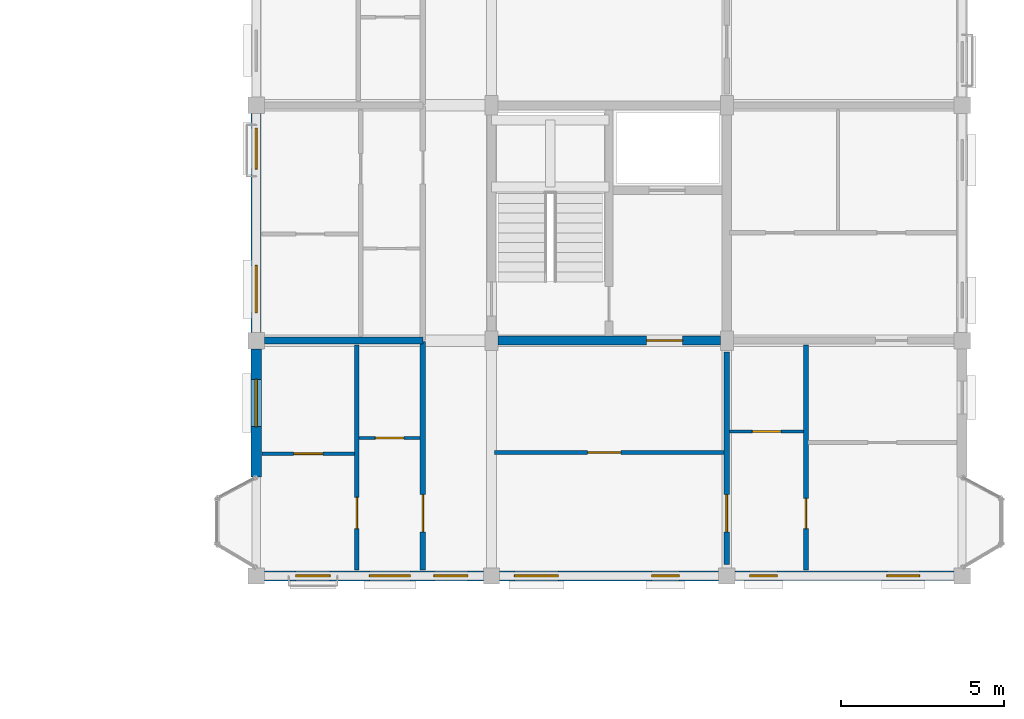
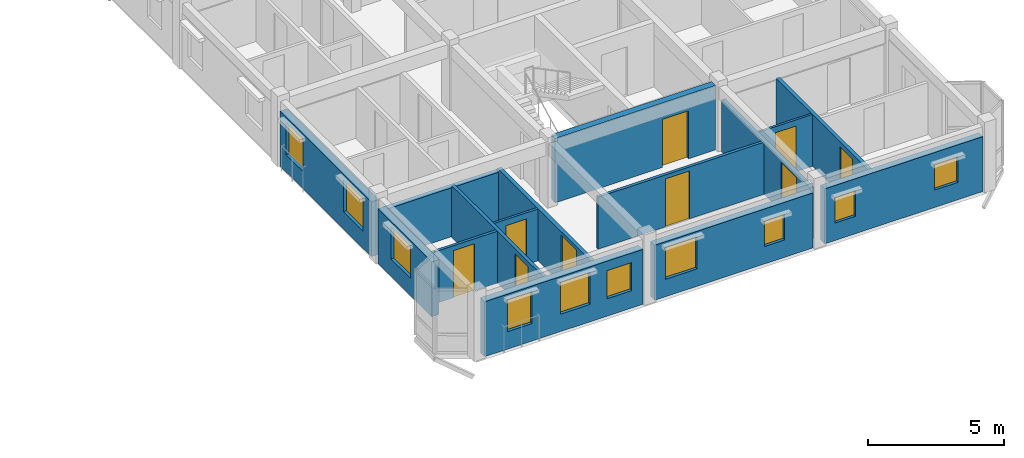
# One storey, part 47 of 64: 15 walls, 10 windows, 9 doors, 19 openings.
"""IFC4 building model written with IfcOpenShell, lengths in metres."""

from ifc_helpers import new_model, si_unit, direction, frame, frame_2d, origin, place, context, subcontext, project, spatial, rectangle, extrude, material, layer, layer_set, type_object, element, fill, save


model = new_model("IFC4")

# Units and contexts
model_context = context("Model", 3, precision=1e-05, world=origin(), true_north=direction((0.0, 1.0)))
body_context = subcontext(model_context, "Body", "Model", "MODEL_VIEW")
ifc_project = project(units=[si_unit("LENGTHUNIT", "METRE"), si_unit("AREAUNIT", "SQUARE_METRE"), si_unit("VOLUMEUNIT", "CUBIC_METRE"), si_unit("PLANEANGLEUNIT", "RADIAN"), si_unit("MASSUNIT", "GRAM", prefix="KILO"), si_unit("THERMODYNAMICTEMPERATUREUNIT", "KELVIN"), si_unit("POWERUNIT", "WATT")], contexts=[model_context])

# Site, building, storey
site_placement = place(None, origin())
site = spatial("IfcSite", under=ifc_project, at=site_placement, CompositionType="ELEMENT")
building_placement = place(site_placement, origin())
building = spatial("IfcBuilding", under=site, at=building_placement, Name="Tavuni Mirador Residences", CompositionType="ELEMENT")
storey_placement = place(building_placement, frame((0.0, 0.0, 26.550048828125)))
storey = spatial("IfcBuildingStorey", under=building, at=storey_placement, Name="L08", CompositionType="ELEMENT", Elevation=26.550048828125)

# Wall, opening, door
ifc_material_1 = material(Name="Precast concrete C40/50", Category="concrete")
ifc_layer_1 = layer(ifc_material_1, 0.280029296875, Name="Precast concrete C40/50", Category="concrete")
ifc_layer_set_1 = layer_set([ifc_layer_1], Name="Precast concrete C40/50")
wall_type_1 = type_object("IfcWallType", Name="WT-COR280", PredefinedType="SHEAR", material=ifc_layer_set_1)
wall_1_placement = place(storey_placement, frame((104.60009765625, 93.60009765625, 0.0), z_axis=(0.0, 0.0, 1.0), x_axis=(1.0, 0.0, 0.0)))
wall_1 = element("IfcWall", 1, at=wall_1_placement, inside=storey, type_object=wall_type_1, Name="CWALL-C7-L08-SS", PredefinedType="SHEAR", context=body_context, shape_type="SweptSolid", body=[
    extrude(rectangle(XDim=6.7998046875, YDim=0.280029296875, at=frame_2d((3.39990234375, 0.0))), origin(), (0.0, 0.0, 1.0), 2.889892578125),
])
opening_1_placement = place(wall_1_placement, frame((4.550048828125, 0.0, 0.0)))
opening_1 = element("IfcOpeningElement", 2, at=opening_1_placement, cuts=wall_1, Name="Opening D-02", PredefinedType="OPENING", context=body_context, shape_type="SweptSolid", body=[
    extrude(rectangle(XDim=1.10009765625, YDim=2.14990234375, at=frame_2d((0.550048828125, 1.074951171875))), frame((0.0, 0.14990234375, 0.0), z_axis=(0.0, -1.0, 0.0), x_axis=(1.0, 0.0, 0.0)), (0.0, 0.0, 1.0), 0.300048828125),
])
ifc_material_2 = material(Name="Solid core iroko timber", Category="wood")
door_type_1 = type_object("IfcDoorType", Name="DT-LOB1100", OperationType="NOTDEFINED", PredefinedType="DOOR", material=ifc_material_2)
door_1_placement = place(opening_1_placement, frame((1.10009765625, 0.0, 0.0), z_axis=(0.0, 0.0, 1.0), x_axis=(-1.0, 0.0, 0.0)))
door_1 = element("IfcDoor", 3, at=door_1_placement, inside=storey, type_object=door_type_1, Name="DR-2298", OperationType="SINGLE_SWING_RIGHT", OverallHeight=2.14990234375, OverallWidth=1.10009765625, PredefinedType="DOOR", context=body_context, shape_type="SweptSolid", body=[
    extrude(rectangle(XDim=1.10009765625, YDim=2.14990234375, at=frame_2d((0.550048828125, 1.074951171875))), frame((0.0, 0.02490234375, 0.0), z_axis=(0.0, -1.0, 0.0), x_axis=(1.0, 0.0, 0.0)), (0.0, 0.0, 1.0), 0.050048828125),
])
fill(opening_1, door_1)

ifc_layer_2 = layer(ifc_material_1, 0.1650390625, Name="Precast concrete C40/50", Category="concrete")
ifc_layer_set_2 = layer_set([ifc_layer_2], Name="Precast concrete C40/50")
wall_type_2 = type_object("IfcWallType", Name="WT-CORR165", PredefinedType="PARTITIONING", material=ifc_layer_set_2)
wall_2_placement = place(storey_placement, frame((102.300048828125, 86.574951171875, 0.0), z_axis=(0.0, 0.0, 1.0), x_axis=(0.0, 1.0, 0.0)))
wall_2 = element("IfcWall", 4, at=wall_2_placement, inside=storey, type_object=wall_type_2, Name="CORW-BLK-D-L08-0-00", PredefinedType="PARTITIONING", context=body_context, shape_type="SweptSolid", body=[
    extrude(rectangle(XDim=7.005126953125, YDim=0.1650390625, at=frame_2d((3.50244140625, 0.0))), origin(), (0.0, 0.0, 1.0), 2.324951171875),
])
opening_2_placement = place(wall_2_placement, frame((1.175048828125, 0.0, 0.0)))
opening_2 = element("IfcOpeningElement", 5, at=opening_2_placement, cuts=wall_2, Name="Opening D-20", PredefinedType="OPENING", context=body_context, shape_type="SweptSolid", body=[
    extrude(rectangle(XDim=1.139892578125, YDim=2.179931640625, at=frame_2d((0.56982421875, 1.08984375))), frame((0.0, 0.092529296875, 0.0), z_axis=(0.0, -1.0, 0.0), x_axis=(1.0, 0.0, 0.0)), (0.0, 0.0, 1.0), 0.18505859375),
])
door_type_2 = type_object("IfcDoorType", Name="DT-FD60-1140", OperationType="NOTDEFINED", PredefinedType="DOOR", material=ifc_material_2)
door_2_placement = place(opening_2_placement, origin())
door_2 = element("IfcDoor", 6, at=door_2_placement, inside=storey, type_object=door_type_2, Name="DR-2903", OperationType="SINGLE_SWING_RIGHT", OverallHeight=2.179931640625, OverallWidth=1.139892578125, PredefinedType="DOOR", context=body_context, shape_type="SweptSolid", body=[
    extrude(rectangle(XDim=1.139892578125, YDim=2.179931640625, at=frame_2d((0.56982421875, 1.08984375))), frame((0.0, 0.02490234375, 0.0), z_axis=(0.0, -1.0, 0.0), x_axis=(1.0, 0.0, 0.0)), (0.0, 0.0, 1.0), 0.050048828125),
])
fill(opening_2, door_2)

wall_3_placement = place(storey_placement, frame((111.60009765625, 86.75, 0.0), z_axis=(0.0, 0.0, 1.0), x_axis=(0.0, 1.0, 0.0)))
wall_3 = element("IfcWall", 7, at=wall_3_placement, inside=storey, type_object=wall_type_2, Name="CORW-BLK-D-L08-1-00", PredefinedType="PARTITIONING", context=body_context, shape_type="SweptSolid", body=[
    extrude(rectangle(XDim=6.5, YDim=0.1650390625, at=frame_2d((3.25, 0.0))), origin(), (0.0, 0.0, 1.0), 2.324951171875),
])
opening_3_placement = place(wall_3_placement, frame((1.0, 0.0, 0.0)))
opening_3 = element("IfcOpeningElement", 8, at=opening_3_placement, cuts=wall_3, Name="Opening D-20", PredefinedType="OPENING", context=body_context, shape_type="SweptSolid", body=[
    extrude(rectangle(XDim=1.139892578125, YDim=2.179931640625, at=frame_2d((0.56982421875, 1.08984375))), frame((0.0, 0.092529296875, 0.0), z_axis=(0.0, -1.0, 0.0), x_axis=(1.0, 0.0, 0.0)), (0.0, 0.0, 1.0), 0.18505859375),
])
door_3_placement = place(opening_3_placement, origin())
door_3 = element("IfcDoor", 9, at=door_3_placement, inside=storey, type_object=door_type_2, Name="DR-2909", OperationType="SINGLE_SWING_RIGHT", OverallHeight=2.179931640625, OverallWidth=1.139892578125, PredefinedType="DOOR", context=body_context, shape_type="SweptSolid", body=[
    extrude(rectangle(XDim=1.139892578125, YDim=2.179931640625, at=frame_2d((0.56982421875, 1.08984375))), frame((0.0, 0.02490234375, 0.0), z_axis=(0.0, -1.0, 0.0), x_axis=(1.0, 0.0, 0.0)), (0.0, 0.0, 1.0), 0.050048828125),
])
fill(opening_3, door_3)

# Wall, openings, windows
ifc_material_3 = material(Name="Sgraffito lime-rendered precast concrete C40/50", Category="concrete")
ifc_layer_3 = layer(ifc_material_3, 0.2900390625, Name="Sgraffito lime-rendered precast concrete C40/50", Category="concrete")
ifc_layer_set_3 = layer_set([ifc_layer_3], Name="Sgraffito lime-rendered precast concrete C40/50")
wall_type_3 = type_object("IfcWallType", Name="WT-EXT-PC290", PredefinedType="SOLIDWALL", material=ifc_layer_set_3)
wall_4_placement = place(storey_placement, frame((111.85009765625, 86.39990234375, 0.0), z_axis=(0.0, 0.0, 1.0), x_axis=(1.0, 0.0, 0.0)))
wall_4 = element("IfcWall", 10, at=wall_4_placement, inside=storey, type_object=wall_type_3, Name="EW-BLK-D-L08-S02", PredefinedType="SOLIDWALL", context=body_context, shape_type="SweptSolid", body=[
    extrude(rectangle(XDim=6.699951171875, YDim=0.2900390625, at=frame_2d((3.35009765625, 0.0))), origin(), (0.0, 0.0, 1.0), 2.4599609375),
])
opening_4_placement = place(wall_4_placement, frame((0.449951171875, 0.0, 0.780029296875)))
opening_4 = element("IfcOpeningElement", 11, at=opening_4_placement, cuts=wall_4, Name="Opening WN-01", PredefinedType="OPENING", context=body_context, shape_type="SweptSolid", body=[
    extrude(rectangle(XDim=0.85009765625, YDim=1.14990234375, at=frame_2d((0.425048828125, 0.574951171875))), frame((0.0, 0.155029296875, 0.0), z_axis=(0.0, -1.0, 0.0), x_axis=(1.0, 0.0, 0.0)), (0.0, 0.0, 1.0), 0.31005859375),
])
opening_5_placement = place(wall_4_placement, frame((4.64990234375, 0.0, 0.780029296875)))
opening_5 = element("IfcOpeningElement", 12, at=opening_5_placement, cuts=wall_4, Name="Opening WN-03", PredefinedType="OPENING", context=body_context, shape_type="SweptSolid", body=[
    extrude(rectangle(XDim=1.0, YDim=1.14990234375, at=frame_2d((0.5, 0.574951171875))), frame((0.0, 0.155029296875, 0.0), z_axis=(0.0, -1.0, 0.0), x_axis=(1.0, 0.0, 0.0)), (0.0, 0.0, 1.0), 0.31005859375),
])
ifc_material_4 = material(Name="Laminated solar-control glass", Category="glass")
window_type_1 = type_object("IfcWindowType", Name="WNT-01", PartitioningType="SINGLE_PANEL", PredefinedType="WINDOW", material=ifc_material_4)
window_1_placement = place(opening_4_placement, origin())
window_1 = element("IfcWindow", 13, at=window_1_placement, inside=storey, type_object=window_type_1, Name="WIN-1732", OverallHeight=1.14990234375, OverallWidth=0.85009765625, PartitioningType="SINGLE_PANEL", PredefinedType="WINDOW", context=body_context, shape_type="SweptSolid", body=[
    extrude(rectangle(XDim=0.85009765625, YDim=1.14990234375, at=frame_2d((0.425048828125, 0.574951171875))), frame((0.0, 0.030029296875, 0.0), z_axis=(0.0, -1.0, 0.0), x_axis=(1.0, 0.0, 0.0)), (0.0, 0.0, 1.0), 0.06005859375),
])
fill(opening_4, window_1)
window_type_2 = type_object("IfcWindowType", Name="WNT-03", PartitioningType="SINGLE_PANEL", PredefinedType="WINDOW", material=ifc_material_4)
window_2_placement = place(opening_5_placement, origin())
window_2 = element("IfcWindow", 14, at=window_2_placement, inside=storey, type_object=window_type_2, Name="WIN-1733", OverallHeight=1.14990234375, OverallWidth=1.0, PartitioningType="SINGLE_PANEL", PredefinedType="WINDOW", context=body_context, shape_type="SweptSolid", body=[
    extrude(rectangle(XDim=1.0, YDim=1.14990234375, at=frame_2d((0.5, 0.574951171875))), frame((0.0, 0.030029296875, 0.0), z_axis=(0.0, -1.0, 0.0), x_axis=(1.0, 0.0, 0.0)), (0.0, 0.0, 1.0), 0.06005859375),
])
fill(opening_5, window_2)

ifc_layer_4 = layer(ifc_material_3, 0.304931640625, Name="Sgraffito lime-rendered precast concrete C40/50", Category="concrete")
ifc_layer_set_4 = layer_set([ifc_layer_4], Name="Sgraffito lime-rendered precast concrete C40/50")
wall_type_4 = type_object("IfcWallType", Name="WT-EXT-PC305", PredefinedType="SOLIDWALL", material=ifc_layer_set_4)
wall_5_placement = place(storey_placement, frame((104.64990234375, 86.39990234375, 0.0), z_axis=(0.0, 0.0, 1.0), x_axis=(1.0, 0.0, 0.0)))
wall_5 = element("IfcWall", 15, at=wall_5_placement, inside=storey, type_object=wall_type_4, Name="EW-BLK-D-L08-S01", PredefinedType="SOLIDWALL", context=body_context, shape_type="SweptSolid", body=[
    extrude(rectangle(XDim=6.7001953125, YDim=0.304931640625, at=frame_2d((3.35009765625, 0.0))), origin(), (0.0, 0.0, 1.0), 2.4599609375),
])
opening_6_placement = place(wall_5_placement, frame((0.449951171875, 0.0, 0.780029296875)))
opening_6 = element("IfcOpeningElement", 16, at=opening_6_placement, cuts=wall_5, Name="Opening WN-29", PredefinedType="OPENING", context=body_context, shape_type="SweptSolid", body=[
    extrude(rectangle(XDim=1.35009765625, YDim=1.43994140625, at=frame_2d((0.675048828125, 0.719970703125))), frame((0.0, 0.16259765625, 0.0), z_axis=(0.0, -1.0, 0.0), x_axis=(1.0, 0.0, 0.0)), (0.0, 0.0, 1.0), 0.324951171875),
])
opening_7_placement = place(wall_5_placement, frame((4.64990234375, 0.0, 0.780029296875)))
opening_7 = element("IfcOpeningElement", 17, at=opening_7_placement, cuts=wall_5, Name="Opening WN-01", PredefinedType="OPENING", context=body_context, shape_type="SweptSolid", body=[
    extrude(rectangle(XDim=0.85009765625, YDim=1.14990234375, at=frame_2d((0.425048828125, 0.574951171875))), frame((0.0, 0.16259765625, 0.0), z_axis=(0.0, -1.0, 0.0), x_axis=(1.0, 0.0, 0.0)), (0.0, 0.0, 1.0), 0.324951171875),
])
window_3_placement = place(opening_7_placement, origin())
window_3 = element("IfcWindow", 18, at=window_3_placement, inside=storey, type_object=window_type_1, Name="WIN-1731", OverallHeight=1.14990234375, OverallWidth=0.85009765625, PartitioningType="SINGLE_PANEL", PredefinedType="WINDOW", context=body_context, shape_type="SweptSolid", body=[
    extrude(rectangle(XDim=0.85009765625, YDim=1.14990234375, at=frame_2d((0.425048828125, 0.574951171875))), frame((0.0, 0.030029296875, 0.0), z_axis=(0.0, -1.0, 0.0), x_axis=(1.0, 0.0, 0.0)), (0.0, 0.0, 1.0), 0.06005859375),
])
fill(opening_7, window_3)
window_type_3 = type_object("IfcWindowType", Name="WNT-29", PartitioningType="SINGLE_PANEL", PredefinedType="WINDOW", material=ifc_material_4)
window_4_placement = place(opening_6_placement, origin())
window_4 = element("IfcWindow", 19, at=window_4_placement, inside=storey, type_object=window_type_3, Name="WIN-1730", OverallHeight=1.43994140625, OverallWidth=1.35009765625, PartitioningType="SINGLE_PANEL", PredefinedType="WINDOW", context=body_context, shape_type="SweptSolid", body=[
    extrude(rectangle(XDim=1.35009765625, YDim=1.43994140625, at=frame_2d((0.675048828125, 0.719970703125))), frame((0.0, 0.030029296875, 0.0), z_axis=(0.0, -1.0, 0.0), x_axis=(1.0, 0.0, 0.0)), (0.0, 0.0, 1.0), 0.06005859375),
])
fill(opening_6, window_4)

wall_6_placement = place(storey_placement, frame((97.199951171875, 100.550048828125, 0.0), z_axis=(0.0, 0.0, 1.0), x_axis=(0.0, -1.0, 0.0)))
wall_6 = element("IfcWall", 20, at=wall_6_placement, inside=storey, type_object=wall_type_4, Name="EW-BLK-D-L08-W01", PredefinedType="SOLIDWALL", context=body_context, shape_type="SweptSolid", body=[
    extrude(rectangle(XDim=6.699951171875, YDim=0.304931640625, at=frame_2d((3.35009765625, 0.0))), origin(), (0.0, 0.0, 1.0), 2.4599609375),
])
opening_8_placement = place(wall_6_placement, frame((0.449951171875, 0.0, 0.780029296875)))
opening_8 = element("IfcOpeningElement", 21, at=opening_8_placement, cuts=wall_6, Name="Opening WN-28", PredefinedType="OPENING", context=body_context, shape_type="SweptSolid", body=[
    extrude(rectangle(XDim=1.25, YDim=1.43994140625, at=frame_2d((0.625, 0.719970703125))), frame((0.0, 0.16259765625, 0.0), z_axis=(0.0, -1.0, 0.0), x_axis=(1.0, 0.0, 0.0)), (0.0, 0.0, 1.0), 0.324951171875),
])
opening_9_placement = place(wall_6_placement, frame((4.64990234375, 0.0, 0.780029296875)))
opening_9 = element("IfcOpeningElement", 22, at=opening_9_placement, cuts=wall_6, Name="Opening WN-30", PredefinedType="OPENING", context=body_context, shape_type="SweptSolid", body=[
    extrude(rectangle(XDim=1.449951171875, YDim=1.43994140625, at=frame_2d((0.72509765625, 0.719970703125))), frame((0.0, 0.16259765625, 0.0), z_axis=(0.0, -1.0, 0.0), x_axis=(1.0, 0.0, 0.0)), (0.0, 0.0, 1.0), 0.324951171875),
])
window_type_4 = type_object("IfcWindowType", Name="WNT-28", PartitioningType="SINGLE_PANEL", PredefinedType="WINDOW", material=ifc_material_4)
window_5_placement = place(opening_8_placement, origin())
window_5 = element("IfcWindow", 23, at=window_5_placement, inside=storey, type_object=window_type_4, Name="WIN-1759", OverallHeight=1.43994140625, OverallWidth=1.25, PartitioningType="SINGLE_PANEL", PredefinedType="WINDOW", context=body_context, shape_type="SweptSolid", body=[
    extrude(rectangle(XDim=1.25, YDim=1.43994140625, at=frame_2d((0.625, 0.719970703125))), frame((0.0, 0.030029296875, 0.0), z_axis=(0.0, -1.0, 0.0), x_axis=(1.0, 0.0, 0.0)), (0.0, 0.0, 1.0), 0.06005859375),
])
fill(opening_8, window_5)
window_type_5 = type_object("IfcWindowType", Name="WNT-30", PartitioningType="SINGLE_PANEL", PredefinedType="WINDOW", material=ifc_material_4)
window_6_placement = place(opening_9_placement, origin())
window_6 = element("IfcWindow", 24, at=window_6_placement, inside=storey, type_object=window_type_5, Name="WIN-1760", OverallHeight=1.43994140625, OverallWidth=1.449951171875, PartitioningType="SINGLE_PANEL", PredefinedType="WINDOW", context=body_context, shape_type="SweptSolid", body=[
    extrude(rectangle(XDim=1.449951171875, YDim=1.43994140625, at=frame_2d((0.72509765625, 0.719970703125))), frame((0.0, 0.030029296875, 0.0), z_axis=(0.0, -1.0, 0.0), x_axis=(1.0, 0.0, 0.0)), (0.0, 0.0, 1.0), 0.06005859375),
])
fill(opening_9, window_6)

ifc_layer_5 = layer(ifc_material_3, 0.31494140625, Name="Sgraffito lime-rendered precast concrete C40/50", Category="concrete")
ifc_layer_set_5 = layer_set([ifc_layer_5], Name="Sgraffito lime-rendered precast concrete C40/50")
wall_type_5 = type_object("IfcWallType", Name="WT-EXT-PC315", PredefinedType="SOLIDWALL", material=ifc_layer_set_5)
wall_7_placement = place(storey_placement, frame((97.449951171875, 86.39990234375, 0.0), z_axis=(0.0, 0.0, 1.0), x_axis=(1.0, 0.0, 0.0)))
wall_7 = element("IfcWall", 25, at=wall_7_placement, inside=storey, type_object=wall_type_5, Name="EW-BLK-D-L08-S00", PredefinedType="SOLIDWALL", context=body_context, shape_type="SweptSolid", body=[
    extrude(rectangle(XDim=6.699951171875, YDim=0.31494140625, at=frame_2d((3.35009765625, 0.0))), origin(), (0.0, 0.0, 1.0), 2.4599609375),
])
opening_10_placement = place(wall_7_placement, frame((0.9599609375, 0.0, 0.780029296875)))
opening_10 = element("IfcOpeningElement", 26, at=opening_10_placement, cuts=wall_7, Name="Opening WN-26", PredefinedType="OPENING", context=body_context, shape_type="SweptSolid", body=[
    extrude(rectangle(XDim=1.050048828125, YDim=1.43994140625, at=frame_2d((0.52490234375, 0.719970703125))), frame((0.0, 0.16748046875, 0.0), z_axis=(0.0, -1.0, 0.0), x_axis=(1.0, 0.0, 0.0)), (0.0, 0.0, 1.0), 0.3349609375),
])
opening_11_placement = place(wall_7_placement, frame((3.215087890625, 0.0, 0.780029296875)))
opening_11 = element("IfcOpeningElement", 27, at=opening_11_placement, cuts=wall_7, Name="Opening WN-28", PredefinedType="OPENING", context=body_context, shape_type="SweptSolid", body=[
    extrude(rectangle(XDim=1.25, YDim=1.43994140625, at=frame_2d((0.625, 0.719970703125))), frame((0.0, 0.16748046875, 0.0), z_axis=(0.0, -1.0, 0.0), x_axis=(1.0, 0.0, 0.0)), (0.0, 0.0, 1.0), 0.3349609375),
])
opening_12_placement = place(wall_7_placement, frame((5.18505859375, 0.0, 0.780029296875)))
opening_12 = element("IfcOpeningElement", 28, at=opening_12_placement, cuts=wall_7, Name="Opening WN-11", PredefinedType="OPENING", context=body_context, shape_type="SweptSolid", body=[
    extrude(rectangle(XDim=1.0400390625, YDim=1.260009765625, at=frame_2d((0.52001953125, 0.6298828125))), frame((0.0, 0.16748046875, 0.0), z_axis=(0.0, -1.0, 0.0), x_axis=(1.0, 0.0, 0.0)), (0.0, 0.0, 1.0), 0.3349609375),
])
window_type_6 = type_object("IfcWindowType", Name="WNT-11", PartitioningType="SINGLE_PANEL", PredefinedType="WINDOW", material=ifc_material_4)
window_7_placement = place(opening_12_placement, origin())
window_7 = element("IfcWindow", 29, at=window_7_placement, inside=storey, type_object=window_type_6, Name="WIN-1729", OverallHeight=1.260009765625, OverallWidth=1.0400390625, PartitioningType="SINGLE_PANEL", PredefinedType="WINDOW", context=body_context, shape_type="SweptSolid", body=[
    extrude(rectangle(XDim=1.0400390625, YDim=1.260009765625, at=frame_2d((0.52001953125, 0.6298828125))), frame((0.0, 0.030029296875, 0.0), z_axis=(0.0, -1.0, 0.0), x_axis=(1.0, 0.0, 0.0)), (0.0, 0.0, 1.0), 0.06005859375),
])
fill(opening_12, window_7)
window_type_7 = type_object("IfcWindowType", Name="WNT-26", PartitioningType="SINGLE_PANEL", PredefinedType="WINDOW", material=ifc_material_4)
window_8_placement = place(opening_10_placement, origin())
window_8 = element("IfcWindow", 30, at=window_8_placement, inside=storey, type_object=window_type_7, Name="WIN-1727", OverallHeight=1.43994140625, OverallWidth=1.050048828125, PartitioningType="SINGLE_PANEL", PredefinedType="WINDOW", context=body_context, shape_type="SweptSolid", body=[
    extrude(rectangle(XDim=1.050048828125, YDim=1.43994140625, at=frame_2d((0.52490234375, 0.719970703125))), frame((0.0, 0.030029296875, 0.0), z_axis=(0.0, -1.0, 0.0), x_axis=(1.0, 0.0, 0.0)), (0.0, 0.0, 1.0), 0.06005859375),
])
fill(opening_10, window_8)
window_9_placement = place(opening_11_placement, origin())
window_9 = element("IfcWindow", 31, at=window_9_placement, inside=storey, type_object=window_type_4, Name="WIN-1728", OverallHeight=1.43994140625, OverallWidth=1.25, PartitioningType="SINGLE_PANEL", PredefinedType="WINDOW", context=body_context, shape_type="SweptSolid", body=[
    extrude(rectangle(XDim=1.25, YDim=1.43994140625, at=frame_2d((0.625, 0.719970703125))), frame((0.0, 0.030029296875, 0.0), z_axis=(0.0, -1.0, 0.0), x_axis=(1.0, 0.0, 0.0)), (0.0, 0.0, 1.0), 0.06005859375),
])
fill(opening_11, window_9)

# Wall, opening, window
wall_8_placement = place(storey_placement, frame((97.199951171875, 93.35009765625, 0.0), z_axis=(0.0, 0.0, 1.0), x_axis=(0.0, -1.0, 0.0)))
wall_8 = element("IfcWall", 32, at=wall_8_placement, inside=storey, type_object=wall_type_5, Name="EW-BLK-D-L08-W00", PredefinedType="SOLIDWALL", context=body_context, shape_type="SweptSolid", body=[
    extrude(rectangle(XDim=3.93017578125, YDim=0.31494140625, at=frame_2d((1.965087890625, 0.0))), origin(), (0.0, 0.0, 1.0), 2.4599609375),
])
opening_13_placement = place(wall_8_placement, frame((0.93505859375, 0.0, 0.780029296875)))
opening_13 = element("IfcOpeningElement", 33, at=opening_13_placement, cuts=wall_8, Name="Opening WN-30", PredefinedType="OPENING", context=body_context, shape_type="SweptSolid", body=[
    extrude(rectangle(XDim=1.449951171875, YDim=1.43994140625, at=frame_2d((0.72509765625, 0.719970703125))), frame((0.0, 0.16748046875, 0.0), z_axis=(0.0, -1.0, 0.0), x_axis=(1.0, 0.0, 0.0)), (0.0, 0.0, 1.0), 0.3349609375),
])
window_10_placement = place(opening_13_placement, origin())
window_10 = element("IfcWindow", 34, at=window_10_placement, inside=storey, type_object=window_type_5, Name="WIN-1761", OverallHeight=1.43994140625, OverallWidth=1.449951171875, PartitioningType="SINGLE_PANEL", PredefinedType="WINDOW", context=body_context, shape_type="SweptSolid", body=[
    extrude(rectangle(XDim=1.449951171875, YDim=1.43994140625, at=frame_2d((0.72509765625, 0.719970703125))), frame((0.0, 0.030029296875, 0.0), z_axis=(0.0, -1.0, 0.0), x_axis=(1.0, 0.0, 0.0)), (0.0, 0.0, 1.0), 0.06005859375),
])
fill(opening_13, window_10)

# Wall, opening, door
ifc_material_5 = material(Name="Acoustic gypsum and concrete block partition", Category="concrete")
ifc_layer_6 = layer(ifc_material_5, 0.094970703125, Name="Acoustic gypsum and concrete block partition", Category="concrete")
ifc_layer_set_6 = layer_set([ifc_layer_6], Name="Acoustic gypsum and concrete block partition")
wall_type_6 = type_object("IfcWallType", Name="WT-PART095", PredefinedType="PARTITIONING", material=ifc_layer_set_6)
wall_9_placement = place(storey_placement, frame((111.68994140625, 90.820068359375, 0.0), z_axis=(0.0, 0.0, 1.0), x_axis=(1.0, 0.0, 0.0)))
wall_9 = element("IfcWall", 35, at=wall_9_placement, inside=storey, type_object=wall_type_6, Name="PW-BLK-D-L08-E00-IN1", PredefinedType="PARTITIONING", context=body_context, shape_type="SweptSolid", body=[
    extrude(rectangle(XDim=2.260009765625, YDim=0.094970703125, at=frame_2d((1.1298828125, 0.0))), origin(), (0.0, 0.0, 1.0), 2.324951171875),
])
opening_14_placement = place(wall_9_placement, frame((0.695068359375, 0.0, 0.0)))
opening_14 = element("IfcOpeningElement", 36, at=opening_14_placement, cuts=wall_9, Name="Opening D-10", PredefinedType="OPENING", context=body_context, shape_type="SweptSolid", body=[
    extrude(rectangle(XDim=0.8701171875, YDim=2.050048828125, at=frame_2d((0.43505859375, 1.02490234375))), frame((0.0, 0.0576171875, 0.0), z_axis=(0.0, -1.0, 0.0), x_axis=(1.0, 0.0, 0.0)), (0.0, 0.0, 1.0), 0.114990234375),
])
door_type_3 = type_object("IfcDoorType", Name="DT-WC870", OperationType="NOTDEFINED", PredefinedType="DOOR", material=ifc_material_2)
door_4_placement = place(opening_14_placement, origin())
door_4 = element("IfcDoor", 37, at=door_4_placement, inside=storey, type_object=door_type_3, Name="DR-4585", OperationType="SINGLE_SWING_LEFT", OverallHeight=2.050048828125, OverallWidth=0.8701171875, PredefinedType="DOOR", context=body_context, shape_type="SweptSolid", body=[
    extrude(rectangle(XDim=0.8701171875, YDim=2.050048828125, at=frame_2d((0.43505859375, 1.02490234375))), frame((0.0, 0.02490234375, 0.0), z_axis=(0.0, -1.0, 0.0), x_axis=(1.0, 0.0, 0.0)), (0.0, 0.0, 1.0), 0.050048828125),
])
fill(opening_14, door_4)

ifc_layer_7 = layer(ifc_material_5, 0.10498046875, Name="Acoustic gypsum and concrete block partition", Category="concrete")
ifc_layer_set_7 = layer_set([ifc_layer_7], Name="Acoustic gypsum and concrete block partition")
wall_type_7 = type_object("IfcWallType", Name="WT-PART105", PredefinedType="PARTITIONING", material=ifc_layer_set_7)
wall_10_placement = place(storey_placement, frame((100.35009765625, 90.6201171875, 0.0), z_axis=(0.0, 0.0, 1.0), x_axis=(1.0, 0.0, 0.0)))
wall_10 = element("IfcWall", 38, at=wall_10_placement, inside=storey, type_object=wall_type_7, Name="PW-BLK-D-L08-W00-IN1", PredefinedType="PARTITIONING", context=body_context, shape_type="SweptSolid", body=[
    extrude(rectangle(XDim=1.85986328125, YDim=0.10498046875, at=frame_2d((0.929931640625, 0.0))), origin(), (0.0, 0.0, 1.0), 2.324951171875),
])
opening_15_placement = place(wall_10_placement, frame((0.4951171875, 0.0, 0.0)))
opening_15 = element("IfcOpeningElement", 39, at=opening_15_placement, cuts=wall_10, Name="Opening D-10", PredefinedType="OPENING", context=body_context, shape_type="SweptSolid", body=[
    extrude(rectangle(XDim=0.8701171875, YDim=2.050048828125, at=frame_2d((0.43505859375, 1.02490234375))), frame((0.0, 0.0625, 0.0), z_axis=(0.0, -1.0, 0.0), x_axis=(1.0, 0.0, 0.0)), (0.0, 0.0, 1.0), 0.125),
])
door_5_placement = place(opening_15_placement, origin())
door_5 = element("IfcDoor", 40, at=door_5_placement, inside=storey, type_object=door_type_3, Name="DR-4582", OperationType="SINGLE_SWING_RIGHT", OverallHeight=2.050048828125, OverallWidth=0.8701171875, PredefinedType="DOOR", context=body_context, shape_type="SweptSolid", body=[
    extrude(rectangle(XDim=0.8701171875, YDim=2.050048828125, at=frame_2d((0.43505859375, 1.02490234375))), frame((0.0, 0.02490234375, 0.0), z_axis=(0.0, -1.0, 0.0), x_axis=(1.0, 0.0, 0.0)), (0.0, 0.0, 1.0), 0.050048828125),
])
fill(opening_15, door_5)

ifc_layer_8 = layer(ifc_material_5, 0.114990234375, Name="Acoustic gypsum and concrete block partition", Category="concrete")
ifc_layer_set_8 = layer_set([ifc_layer_8], Name="Acoustic gypsum and concrete block partition")
wall_type_8 = type_object("IfcWallType", Name="WT-PART115", PredefinedType="PARTITIONING", material=ifc_layer_set_8)
wall_11_placement = place(storey_placement, frame((97.375, 90.139892578125, 0.0), z_axis=(0.0, 0.0, 1.0), x_axis=(1.0, 0.0, 0.0)))
wall_11 = element("IfcWall", 41, at=wall_11_placement, inside=storey, type_object=wall_type_8, Name="PW-BLK-D-L08-W00-OUT", PredefinedType="PARTITIONING", context=body_context, shape_type="SweptSolid", body=[
    extrude(rectangle(XDim=2.8349609375, YDim=0.114990234375, at=frame_2d((1.41748046875, 0.0))), origin(), (0.0, 0.0, 1.0), 2.324951171875),
])
opening_16_placement = place(wall_11_placement, frame((0.967529296875, 0.0, 0.0)))
opening_16 = element("IfcOpeningElement", 42, at=opening_16_placement, cuts=wall_11, Name="Opening D-07", PredefinedType="OPENING", context=body_context, shape_type="SweptSolid", body=[
    extrude(rectangle(XDim=0.89990234375, YDim=2.10009765625, at=frame_2d((0.449951171875, 1.050048828125))), frame((0.0, 0.0673828125, 0.0), z_axis=(0.0, -1.0, 0.0), x_axis=(1.0, 0.0, 0.0)), (0.0, 0.0, 1.0), 0.135009765625),
])
door_type_4 = type_object("IfcDoorType", Name="DT-BED900", OperationType="NOTDEFINED", PredefinedType="DOOR", material=ifc_material_2)
door_6_placement = place(opening_16_placement, origin())
door_6 = element("IfcDoor", 43, at=door_6_placement, inside=storey, type_object=door_type_4, Name="DR-4581", OperationType="SINGLE_SWING_LEFT", OverallHeight=2.10009765625, OverallWidth=0.89990234375, PredefinedType="DOOR", context=body_context, shape_type="SweptSolid", body=[
    extrude(rectangle(XDim=0.89990234375, YDim=2.10009765625, at=frame_2d((0.449951171875, 1.050048828125))), frame((0.0, 0.02490234375, 0.0), z_axis=(0.0, -1.0, 0.0), x_axis=(1.0, 0.0, 0.0)), (0.0, 0.0, 1.0), 0.050048828125),
])
fill(opening_16, door_6)

ifc_layer_9 = layer(ifc_material_5, 0.125, Name="Acoustic gypsum and concrete block partition", Category="concrete")
ifc_layer_set_9 = layer_set([ifc_layer_9], Name="Acoustic gypsum and concrete block partition")
wall_type_9 = type_object("IfcWallType", Name="WT-PART125", PredefinedType="PARTITIONING", material=ifc_layer_set_9)
wall_12_placement = place(storey_placement, frame((104.489990234375, 90.179931640625, 0.0), z_axis=(0.0, 0.0, 1.0), x_axis=(1.0, 0.0, 0.0)))
wall_12 = element("IfcWall", 44, at=wall_12_placement, inside=storey, type_object=wall_type_9, Name="PW-SPN-BLK-D-L08-00", PredefinedType="PARTITIONING", context=body_context, shape_type="SweptSolid", body=[
    extrude(rectangle(XDim=7.02001953125, YDim=0.125, at=frame_2d((3.510009765625, 0.0))), origin(), (0.0, 0.0, 1.0), 2.324951171875),
])
opening_17_placement = place(wall_12_placement, frame((2.85009765625, 0.0, 0.0)))
opening_17 = element("IfcOpeningElement", 45, at=opening_17_placement, cuts=wall_12, Name="Opening D-13", PredefinedType="OPENING", context=body_context, shape_type="SweptSolid", body=[
    extrude(rectangle(XDim=1.02001953125, YDim=2.14990234375, at=frame_2d((0.510009765625, 1.074951171875))), frame((0.0, 0.072509765625, 0.0), z_axis=(0.0, -1.0, 0.0), x_axis=(1.0, 0.0, 0.0)), (0.0, 0.0, 1.0), 0.14501953125),
])
door_type_5 = type_object("IfcDoorType", Name="DT-MTG1020", OperationType="NOTDEFINED", PredefinedType="DOOR", material=ifc_material_2)
door_7_placement = place(opening_17_placement, origin())
door_7 = element("IfcDoor", 46, at=door_7_placement, inside=storey, type_object=door_type_5, Name="DR-4580", OperationType="SINGLE_SWING_LEFT", OverallHeight=2.14990234375, OverallWidth=1.02001953125, PredefinedType="DOOR", context=body_context, shape_type="SweptSolid", body=[
    extrude(rectangle(XDim=1.02001953125, YDim=2.14990234375, at=frame_2d((0.510009765625, 1.074951171875))), frame((0.0, 0.02490234375, 0.0), z_axis=(0.0, -1.0, 0.0), x_axis=(1.0, 0.0, 0.0)), (0.0, 0.0, 1.0), 0.050048828125),
])
fill(opening_17, door_7)

ifc_layer_10 = layer(ifc_material_5, 0.139892578125, Name="Acoustic gypsum and concrete block partition", Category="concrete")
ifc_layer_set_10 = layer_set([ifc_layer_10], Name="Acoustic gypsum and concrete block partition")
wall_type_10 = type_object("IfcWallType", Name="WT-PART140", PredefinedType="PARTITIONING", material=ifc_layer_set_10)
wall_13_placement = place(storey_placement, frame((100.280029296875, 86.574951171875, 0.0), z_axis=(0.0, 0.0, 1.0), x_axis=(0.0, 1.0, 0.0)))
wall_13 = element("IfcWall", 47, at=wall_13_placement, inside=storey, type_object=wall_type_10, Name="PW-BLK-D-L08-W00-MID", PredefinedType="PARTITIONING", context=body_context, shape_type="SweptSolid", body=[
    extrude(rectangle(XDim=6.885009765625, YDim=0.139892578125, at=frame_2d((3.4423828125, 0.0))), origin(), (0.0, 0.0, 1.0), 2.324951171875),
])
opening_18_placement = place(wall_13_placement, frame((1.27490234375, 0.0, 0.0)))
opening_18 = element("IfcOpeningElement", 48, at=opening_18_placement, cuts=wall_13, Name="Opening D-05", PredefinedType="OPENING", context=body_context, shape_type="SweptSolid", body=[
    extrude(rectangle(XDim=0.949951171875, YDim=2.10009765625, at=frame_2d((0.47509765625, 1.050048828125))), frame((0.0, 0.080078125, 0.0), z_axis=(0.0, -1.0, 0.0), x_axis=(1.0, 0.0, 0.0)), (0.0, 0.0, 1.0), 0.159912109375),
])
door_type_6 = type_object("IfcDoorType", Name="DT-INT950", OperationType="NOTDEFINED", PredefinedType="DOOR", material=ifc_material_2)
door_8_placement = place(opening_18_placement, origin())
door_8 = element("IfcDoor", 49, at=door_8_placement, inside=storey, type_object=door_type_6, Name="DR-4583", OperationType="SINGLE_SWING_LEFT", OverallHeight=2.10009765625, OverallWidth=0.949951171875, PredefinedType="DOOR", context=body_context, shape_type="SweptSolid", body=[
    extrude(rectangle(XDim=0.949951171875, YDim=2.10009765625, at=frame_2d((0.47509765625, 1.050048828125))), frame((0.0, 0.02490234375, 0.0), z_axis=(0.0, -1.0, 0.0), x_axis=(1.0, 0.0, 0.0)), (0.0, 0.0, 1.0), 0.050048828125),
])
fill(opening_18, door_8)

ifc_layer_11 = layer(ifc_material_5, 0.14990234375, Name="Acoustic gypsum and concrete block partition", Category="concrete")
ifc_layer_set_11 = layer_set([ifc_layer_11], Name="Acoustic gypsum and concrete block partition")
wall_type_11 = type_object("IfcWallType", Name="WT-PART150", PredefinedType="PARTITIONING", material=ifc_layer_set_11)
wall_14_placement = place(storey_placement, frame((114.02001953125, 86.574951171875, 0.0), z_axis=(0.0, 0.0, 1.0), x_axis=(0.0, 1.0, 0.0)))
wall_14 = element("IfcWall", 50, at=wall_14_placement, inside=storey, type_object=wall_type_11, Name="PW-BLK-D-L08-E00-MID", PredefinedType="PARTITIONING", context=body_context, shape_type="SweptSolid", body=[
    extrude(rectangle(XDim=6.885009765625, YDim=0.14990234375, at=frame_2d((3.4423828125, 0.0))), origin(), (0.0, 0.0, 1.0), 2.324951171875),
])
opening_19_placement = place(wall_14_placement, frame((1.27490234375, 0.0, 0.0)))
opening_19 = element("IfcOpeningElement", 51, at=opening_19_placement, cuts=wall_14, Name="Opening D-06", PredefinedType="OPENING", context=body_context, shape_type="SweptSolid", body=[
    extrude(rectangle(XDim=0.919921875, YDim=2.10009765625, at=frame_2d((0.4599609375, 1.050048828125))), frame((0.0, 0.0849609375, 0.0), z_axis=(0.0, -1.0, 0.0), x_axis=(1.0, 0.0, 0.0)), (0.0, 0.0, 1.0), 0.169921875),
])
door_type_7 = type_object("IfcDoorType", Name="DT-INT920", OperationType="NOTDEFINED", PredefinedType="DOOR", material=ifc_material_2)
door_9_placement = place(opening_19_placement, origin())
door_9 = element("IfcDoor", 52, at=door_9_placement, inside=storey, type_object=door_type_7, Name="DR-4586", OperationType="SINGLE_SWING_RIGHT", OverallHeight=2.10009765625, OverallWidth=0.919921875, PredefinedType="DOOR", context=body_context, shape_type="SweptSolid", body=[
    extrude(rectangle(XDim=0.919921875, YDim=2.10009765625, at=frame_2d((0.4599609375, 1.050048828125))), frame((0.0, 0.02490234375, 0.0), z_axis=(0.0, -1.0, 0.0), x_axis=(1.0, 0.0, 0.0)), (0.0, 0.0, 1.0), 0.050048828125),
])
fill(opening_19, door_9)

# Wall
ifc_layer_12 = layer(ifc_material_1, 0.215087890625, Name="Precast concrete C40/50", Category="concrete")
ifc_layer_set_12 = layer_set([ifc_layer_12], Name="Precast concrete C40/50")
wall_type_12 = type_object("IfcWallType", Name="WT-XW215", PredefinedType="SOLIDWALL", material=ifc_layer_set_12)
wall_15_placement = place(storey_placement, frame((97.449951171875, 93.60009765625, 0.0), z_axis=(0.0, 0.0, 1.0), x_axis=(1.0, 0.0, 0.0)))
element("IfcWall", 53, at=wall_15_placement, inside=storey, type_object=wall_type_12, Name="XW-BLK-D-L08-W-01", PredefinedType="SOLIDWALL", context=body_context, shape_type="SweptSolid", body=[
    extrude(rectangle(XDim=4.85009765625, YDim=0.215087890625, at=frame_2d((2.425048828125, 0.0))), origin(), (0.0, 0.0, 1.0), 2.18994140625),
])

save(model, "model.ifc")
